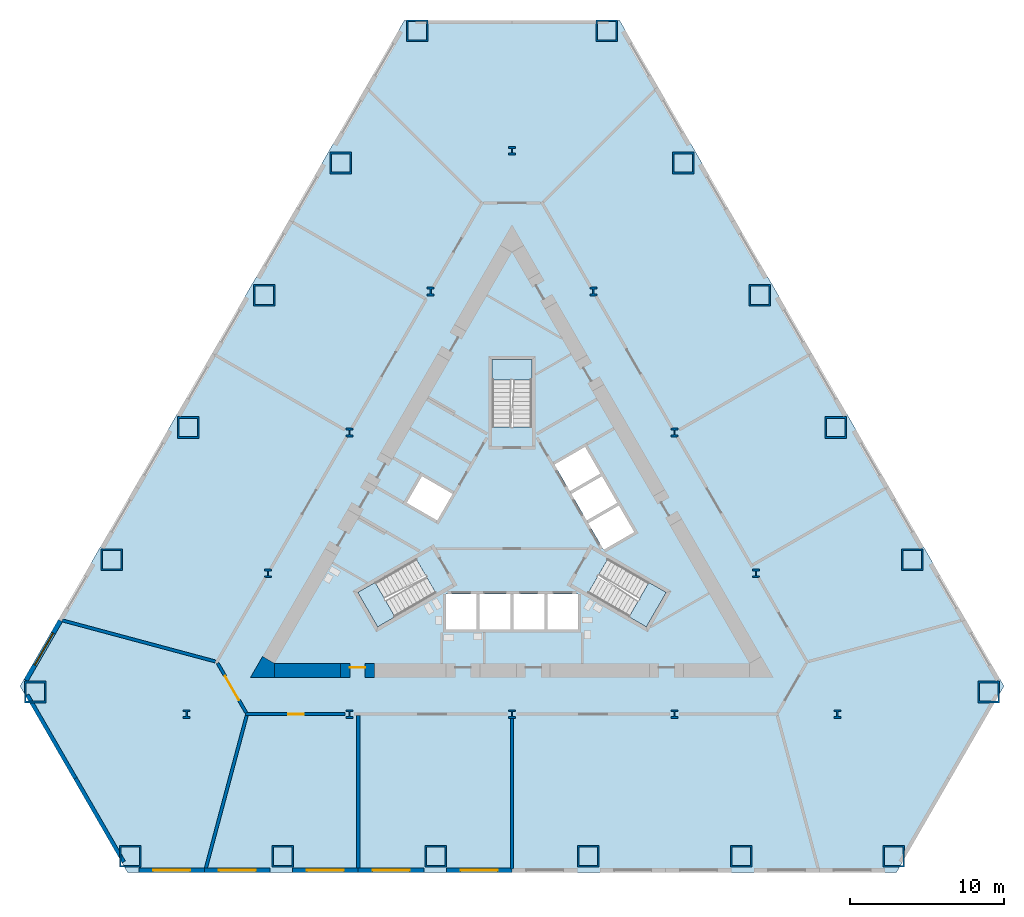
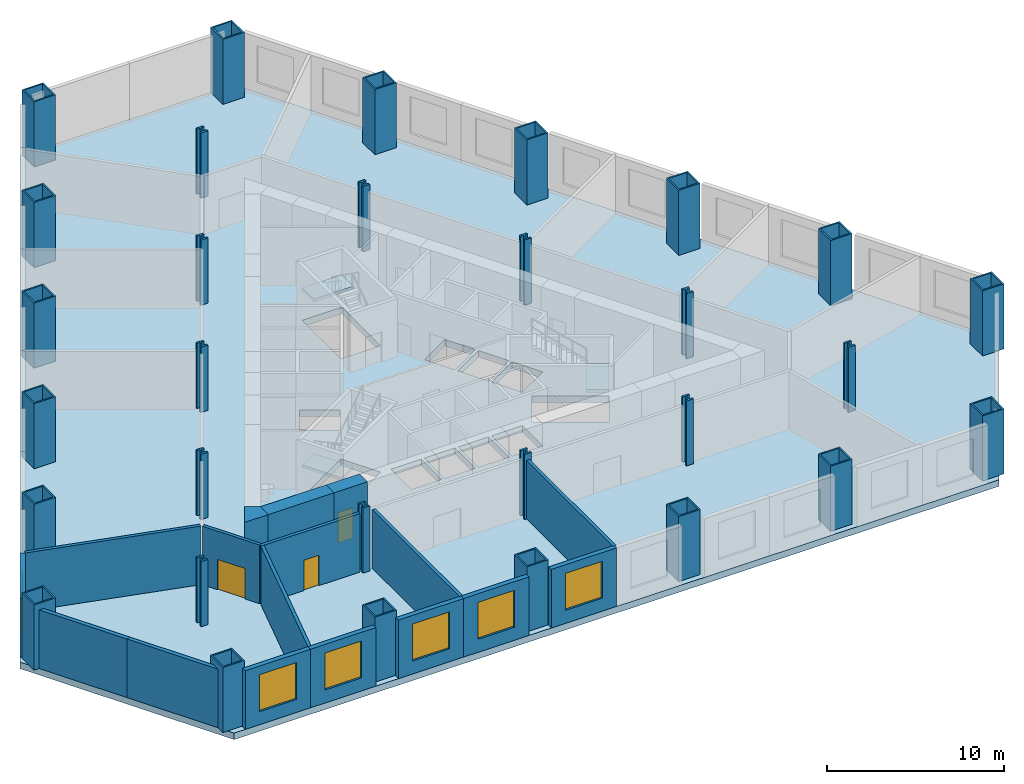
# One storey, part 1 of 8: 30 columns, 17 walls, 6 windows, 4 slabs, 3 doors, 9 openings, 3 elements without a shape of their own.
"""IFC4 building model written with IfcOpenShell, lengths in metres."""

from ifc_helpers import new_model, si_unit, direction, frame, frame_2d, origin, origin_2d, place, context, subcontext, project, spatial, polyline, rectangle, hollow_rectangle, i_section, outline, extrude, material, layer, layer_set, material_profile, profile_set, type_object, element, fill, aggregate, save


model = new_model("IFC4")

# Units and contexts
model_context = context("Model", 3, precision=1e-05, world=origin(), true_north=direction((0.0, 1.0)))
body_context = subcontext(model_context, "Body", "Model", "MODEL_VIEW")
ifc_project = project(units=[si_unit("LENGTHUNIT", "METRE"), si_unit("AREAUNIT", "SQUARE_METRE"), si_unit("VOLUMEUNIT", "CUBIC_METRE"), si_unit("PLANEANGLEUNIT", "RADIAN"), si_unit("MASSUNIT", "GRAM", prefix="KILO")], contexts=[model_context])

# Site, building, storey
site_placement = place(None, origin())
site = spatial("IfcSite", under=ifc_project, at=site_placement, CompositionType="ELEMENT")
building_placement = place(site_placement, origin())
building = spatial("IfcBuilding", under=site, at=building_placement, Name="Cormorant Prow Tower", CompositionType="ELEMENT")
storey_placement = place(building_placement, frame((0.0, 0.0, 21.0)))
storey = spatial("IfcBuildingStorey", under=building, at=storey_placement, Name="L03", CompositionType="ELEMENT", Elevation=21.0)

# Columns
ifc_material_1 = material(Name="Structural steel ASTM A572 Gr 50", Category="steel")
ifc_material_profile_1 = material_profile(ifc_material_1, hollow_rectangle(XDim=1.39990234375, YDim=1.39990234375, WallThickness=0.10009765625, at=origin_2d()), Name="Box 1400x1400x100")
ifc_profile_set_1 = profile_set([ifc_material_profile_1], Name="Structural steel ASTM A572 Gr 50")
column_type_1 = type_object("IfcColumnType", Name="Perimeter box column 1400x1400x100", PredefinedType="COLUMN", material=ifc_profile_set_1)
for number, where, z_axis, x_axis, name in (
    (1, (-24.830322265625, -21.4599609375, 0.0), (0.0, 0.0, 1.0), (1.0, 0.0, 0.0), "Perimeter column at S00 L03"),
    (2, (-14.898193359375, -21.4599609375, 0.0), (0.0, 0.0, 1.0), (1.0, 0.0, 0.0), "Perimeter column at S02 L03"),
    (3, (-4.966064453125, -21.4599609375, 0.0), (0.0, 0.0, 1.0), (1.0, 0.0, 0.0), "Perimeter column at S04 L03"),
    (4, (4.966064453125, -21.4599609375, 0.0), (0.0, 0.0, 1.0), (1.0, 0.0, 0.0), "Perimeter column at S06 L03"),
    (5, (14.898193359375, -21.4599609375, 0.0), (0.0, 0.0, 1.0), (1.0, 0.0, 0.0), "Perimeter column at S08 L03"),
    (6, (24.830322265625, -21.4599609375, 0.0), (0.0, 0.0, 1.0), (1.0, 0.0, 0.0), "Perimeter column at ESE00 L03"),
    (7, (31.0, -10.773681640625, 0.0), (0.0, 0.0, 1.0), (1.0, 0.0, 0.0), "Perimeter column at ENE00 L03"),
    (8, (26.033935546875, -2.17236328125, 0.0), (0.0, 0.0, 1.0), (1.0, 0.0, 0.0), "Perimeter column at ENE02 L03"),
    (9, (21.06787109375, 6.42919921875, 0.0), (0.0, 0.0, 1.0), (1.0, 0.0, 0.0), "Perimeter column at ENE04 L03"),
    (10, (16.101806640625, 15.03076171875, 0.0), (0.0, 0.0, 1.0), (1.0, 0.0, 0.0), "Perimeter column at ENE06 L03"),
    (11, (11.1357421875, 23.632080078125, 0.0), (0.0, 0.0, 1.0), (1.0, 0.0, 0.0), "Perimeter column at ENE08 L03"),
    (12, (6.169677734375, 32.233642578125, 0.0), (0.0, 0.0, 1.0), (1.0, 0.0, 0.0), "Perimeter column at N00 L03"),
    (13, (-6.169677734375, 32.233642578125, 0.0), (0.0, 0.0, 1.0), (1.0, 0.0, 0.0), "Perimeter column at WNW00 L03"),
    (14, (-11.1357421875, 23.632080078125, 0.0), (0.0, 0.0, 1.0), (1.0, 0.0, 0.0), "Perimeter column at WNW02 L03"),
    (15, (-16.101806640625, 15.03076171875, 0.0), (0.0, 0.0, 1.0), (1.0, 0.0, 0.0), "Perimeter column at WNW04 L03"),
    (16, (-21.06787109375, 6.42919921875, 0.0), (0.0, 0.0, 1.0), (1.0, 0.0, 0.0), "Perimeter column at WNW06 L03"),
    (17, (-26.033935546875, -2.17236328125, 0.0), (0.0, 0.0, 1.0), (1.0, 0.0, 0.0), "Perimeter column at WNW08 L03"),
    (18, (-31.0, -10.773681640625, 0.0), (0.0, 0.0, 1.0), (1.0, 0.0, 0.0), "Perimeter column at WSW00 L03"),
):
    element("IfcColumn", number, at=place(storey_placement, frame(where, z_axis=z_axis, x_axis=x_axis)), inside=storey, type_object=column_type_1, Name=name, PredefinedType="COLUMN", context=body_context, shape_type="SweptSolid", body=[
        extrude(hollow_rectangle(XDim=1.39990234375, YDim=1.39990234375, WallThickness=0.10009765625, at=origin_2d()), origin(), (0.0, 0.0, 1.0), 4.5),
    ])
ifc_material_2 = material(Name="Structural steel ASTM A992 Gr 50", Category="steel")
ifc_material_profile_2 = material_profile(ifc_material_2, i_section(OverallWidth=0.454345703125, OverallDepth=0.569580078125, WebThickness=0.077880859375, FlangeThickness=0.124755859375, at=origin_2d()), Name="W14x730")
ifc_profile_set_2 = profile_set([ifc_material_profile_2], Name="Structural steel ASTM A992 Gr 50")
column_type_2 = type_object("IfcColumnType", Name="Ring column W14x730", PredefinedType="COLUMN", material=ifc_profile_set_2)
for number, where, z_axis, x_axis, name in (
    (19, (0.0, 24.429931640625, 0.0), (0.0, 0.0, 1.0), (1.0, 0.0, 0.0), "Ring column 1 L03"),
    (20, (-5.289306640625, 15.268798828125, 0.0), (0.0, 0.0, 1.0), (1.0, 0.0, 0.0), "Ring column 2 L03"),
    (21, (-10.578369140625, 6.107421875, 0.0), (0.0, 0.0, 1.0), (1.0, 0.0, 0.0), "Ring column 3 L03"),
    (22, (-15.86767578125, -3.0537109375, 0.0), (0.0, 0.0, 1.0), (1.0, 0.0, 0.0), "Ring column 4 L03"),
    (23, (-21.156982421875, -12.21484375, 0.0), (0.0, 0.0, 1.0), (1.0, 0.0, 0.0), "Ring column 5 L03"),
    (24, (-10.578369140625, -12.21484375, 0.0), (0.0, 0.0, 1.0), (1.0, 0.0, 0.0), "Ring column 6 L03"),
    (25, (0.0, -12.21484375, 0.0), (0.0, 0.0, 1.0), (1.0, 0.0, 0.0), "Ring column 7 L03"),
    (26, (10.578369140625, -12.21484375, 0.0), (0.0, 0.0, 1.0), (1.0, 0.0, 0.0), "Ring column 8 L03"),
    (27, (21.156982421875, -12.21484375, 0.0), (0.0, 0.0, 1.0), (1.0, 0.0, 0.0), "Ring column 9 L03"),
    (28, (15.86767578125, -3.0537109375, 0.0), (0.0, 0.0, 1.0), (1.0, 0.0, 0.0), "Ring column 10 L03"),
    (29, (10.578369140625, 6.107421875, 0.0), (0.0, 0.0, 1.0), (1.0, 0.0, 0.0), "Ring column 11 L03"),
    (30, (5.289306640625, 15.268798828125, 0.0), (0.0, 0.0, 1.0), (1.0, 0.0, 0.0), "Ring column 12 L03"),
):
    element("IfcColumn", number, at=place(storey_placement, frame(where, z_axis=z_axis, x_axis=x_axis)), inside=storey, type_object=column_type_2, Name=name, PredefinedType="COLUMN", context=body_context, shape_type="SweptSolid", body=[
        extrude(i_section(OverallWidth=0.454345703125, OverallDepth=0.569580078125, WebThickness=0.077880859375, FlangeThickness=0.124755859375, at=origin_2d()), origin(), (0.0, 0.0, 1.0), 4.5),
    ])

# Slab
ifc_material_3 = material(Name="Concrete C40/50", Category="concrete")
ifc_layer_1 = layer(ifc_material_3, 0.449951171875)
ifc_layer_set_1 = layer_set([ifc_layer_1], Name="Concrete C40/50")
slab_type_1 = type_object("IfcSlabType", Name="Post-tensioned flat slab 450", PredefinedType="FLOOR", material=ifc_layer_set_1)
slab_1_placement = place(storey_placement, frame((0.0, 0.0, -0.449951171875)))
element("IfcSlab", 31, at=slab_1_placement, inside=storey, type_object=slab_type_1, Name="Floor slab L03", PredefinedType="FLOOR", context=body_context, shape_type="SweptSolid", body=[
    extrude(outline(polyline([(-9.5, 28.578857421875), (-12.0, 24.248779296875), (-14.5, 19.918701171875), (-17.0, 15.58837890625), (-19.5, 11.25830078125), (-22.0, 6.92822265625), (-24.5, 2.59814453125), (-27.0, -1.73193359375), (-29.5, -6.062255859375), (-32.0, -10.392333984375), (-28.5, -16.45458984375), (-25.0, -22.5166015625), (-20.0, -22.5166015625), (-15.0, -22.5166015625), (-10.0, -22.5166015625), (-5.0, -22.5166015625), (0.0, -22.5166015625), (5.0, -22.5166015625), (10.0, -22.5166015625), (15.0, -22.5166015625), (20.0, -22.5166015625), (25.0, -22.5166015625), (28.5, -16.45458984375), (32.0, -10.392333984375), (29.5, -6.062255859375), (27.0, -1.73193359375), (24.5, 2.59814453125), (22.0, 6.92822265625), (19.5, 11.25830078125), (17.0, 15.58837890625), (14.5, 19.918701171875), (12.0, 24.248779296875), (9.5, 28.578857421875), (7.0, 32.908935546875), (0.0, 32.908935546875), (-7.0, 32.908935546875), (-9.5, 28.578857421875)]), holes=[polyline([(-4.300048828125, -6.699951171875), (-4.300048828125, -4.39990234375), (-2.300048828125, -4.39990234375), (-2.300048828125, -6.699951171875), (-4.300048828125, -6.699951171875)]), polyline([(-2.10009765625, -4.39990234375), (-0.10009765625, -4.39990234375), (-0.10009765625, -6.699951171875), (-2.10009765625, -6.699951171875), (-2.10009765625, -4.39990234375)]), polyline([(2.10009765625, -4.39990234375), (2.10009765625, -6.699951171875), (0.10009765625, -6.699951171875), (0.10009765625, -4.39990234375), (2.10009765625, -4.39990234375)]), polyline([(4.300048828125, -6.699951171875), (2.300048828125, -6.699951171875), (2.300048828125, -4.39990234375), (4.300048828125, -4.39990234375), (4.300048828125, -6.699951171875)]), polyline([(7.952392578125, -0.373779296875), (5.96044921875, -1.52392578125), (4.96044921875, 0.2080078125), (6.952392578125, 1.358154296875), (7.952392578125, -0.373779296875)]), polyline([(4.860595703125, 0.38134765625), (3.860595703125, 2.11328125), (5.852294921875, 3.263427734375), (6.852294921875, 1.53125), (4.860595703125, 0.38134765625)]), polyline([(2.760498046875, 4.018798828125), (4.75244140625, 5.168701171875), (5.75244140625, 3.4365234375), (3.760498046875, 2.28662109375), (2.760498046875, 4.018798828125)]), polyline([(-6.852294921875, 1.53125), (-5.852294921875, 3.263427734375), (-3.860595703125, 2.11328125), (-4.860595703125, 0.38134765625), (-6.852294921875, 1.53125)]), polyline([(-4.947509765625, -4.3505859375), (-8.738037109375, -6.5390625), (-10.031982421875, -4.2978515625), (-6.241455078125, -2.109375), (-4.947509765625, -4.3505859375)]), polyline([(10.031982421875, -4.2978515625), (8.738037109375, -6.5390625), (4.947509765625, -4.3505859375), (6.241455078125, -2.109375), (10.031982421875, -4.2978515625)]), polyline([(1.2939453125, 10.8369140625), (1.2939453125, 6.459716796875), (-1.2939453125, 6.459716796875), (-1.2939453125, 10.8369140625), (1.2939453125, 10.8369140625)])]), origin(), (0.0, 0.0, 1.0), 0.449951171875),
])

# Stair, slab
ifc_material_4 = material(Name="Exit stair 24 risers")
stair_type = type_object("IfcStairType", Name="Exit stair 24 risers", PredefinedType="HALF_TURN_STAIR", material=ifc_material_4)
stair_1_placement = place(storey_placement, origin())
stair_1 = element("IfcStair", 32, at=stair_1_placement, inside=storey, type_object=stair_type, Name="L03 Exit stair ST1", PredefinedType="HALF_TURN_STAIR")
ifc_material_5 = material(Name="Concrete 5000 psi", Category="concrete")
ifc_layer_2 = layer(ifc_material_5, 0.199951171875)
ifc_layer_set_2 = layer_set([ifc_layer_2], Name="Concrete 5000 psi")
slab_type_2 = type_object("IfcSlabType", Name="Stair landing 200", PredefinedType="LANDING", material=ifc_layer_set_2)
slab_2_placement = place(storey_placement, frame((0.0, 0.0, 2.050048828125)))
slab_2 = element("IfcSlab", 33, at=slab_2_placement, type_object=slab_type_2, Name="ST1 landing 1", PredefinedType="LANDING", context=body_context, shape_type="SweptSolid", body=[
    extrude(outline(polyline([(-8.90185546875, -3.645263671875), (-10.031982421875, -4.2978515625), (-8.738037109375, -6.5390625), (-7.60791015625, -5.886474609375), (-8.90185546875, -3.645263671875)])), origin(), (0.0, 0.0, 1.0), 0.199951171875),
])
aggregate(stair_1, [slab_2])

stair_2_placement = place(storey_placement, origin())
stair_2 = element("IfcStair", 34, at=stair_2_placement, inside=storey, type_object=stair_type, Name="L03 Exit stair ST2", PredefinedType="HALF_TURN_STAIR")
slab_3_placement = place(storey_placement, frame((0.0, 0.0, 2.050048828125)))
slab_3 = element("IfcSlab", 35, at=slab_3_placement, type_object=slab_type_2, Name="ST2 landing 1", PredefinedType="LANDING", context=body_context, shape_type="SweptSolid", body=[
    extrude(outline(polyline([(7.60791015625, -5.886474609375), (8.738037109375, -6.5390625), (10.031982421875, -4.2978515625), (8.90185546875, -3.645263671875), (7.60791015625, -5.886474609375)])), origin(), (0.0, 0.0, 1.0), 0.199951171875),
])
aggregate(stair_2, [slab_3])

stair_3_placement = place(storey_placement, origin())
stair_3 = element("IfcStair", 36, at=stair_3_placement, inside=storey, type_object=stair_type, Name="L03 Exit stair ST3", PredefinedType="HALF_TURN_STAIR")
slab_4_placement = place(storey_placement, frame((0.0, 0.0, 2.050048828125)))
slab_4 = element("IfcSlab", 37, at=slab_4_placement, type_object=slab_type_2, Name="ST3 landing 1", PredefinedType="LANDING", context=body_context, shape_type="SweptSolid", body=[
    extrude(outline(polyline([(1.2939453125, 9.53173828125), (1.2939453125, 10.8369140625), (-1.2939453125, 10.8369140625), (-1.2939453125, 9.53173828125), (1.2939453125, 9.53173828125)])), origin(), (0.0, 0.0, 1.0), 0.199951171875),
])
aggregate(stair_3, [slab_4])

# Walls
ifc_material_6 = material(Name="Concrete 8000 psi", Category="concrete")
ifc_layer_3 = layer(ifc_material_6, 0.89990234375)
ifc_layer_set_3 = layer_set([ifc_layer_3], Name="Concrete 8000 psi")
wall_type_1 = type_object("IfcWallType", Name="Core shear wall 900", PredefinedType="SHEAR", material=ifc_layer_set_3)
wall_1_placement = place(storey_placement, frame((-15.441162109375, -9.364990234375, 0.0), z_axis=(0.0, 0.0, 1.0), x_axis=(1.0, 0.0, 0.0)))
element("IfcWall", 38, at=wall_1_placement, inside=storey, type_object=wall_type_1, Name="Core wall", PredefinedType="SHEAR", context=body_context, shape_type="SweptSolid", body=[
    extrude(rectangle(XDim=4.295654296875, YDim=0.89990234375, at=frame_2d((2.14794921875, 0.0))), origin(), (0.0, 0.0, 1.0), 4.050048828125),
])
wall_2_placement = place(storey_placement, origin())
element("IfcWall", 39, at=wall_2_placement, inside=storey, type_object=wall_type_1, Name="Core wall corner", PredefinedType="SHEAR", context=body_context, shape_type="SweptSolid", body=[
    extrude(outline(polyline([(-16.220703125, -8.465087890625), (-15.441162109375, -8.9150390625), (-15.441162109375, -9.81494140625), (-17.0, -9.81494140625), (-16.220703125, -8.465087890625)])), origin(), (0.0, 0.0, 1.0), 4.050048828125),
])

# Wall, opening, door
wall_3_placement = place(storey_placement, frame((-11.1455078125, -9.364990234375, 0.0), z_axis=(0.0, 0.0, 1.0), x_axis=(1.0, 0.0, 0.0)))
wall_3 = element("IfcWall", 40, at=wall_3_placement, inside=storey, type_object=wall_type_1, Name="Core wall door panel", PredefinedType="SHEAR", context=body_context, shape_type="SweptSolid", body=[
    extrude(rectangle(XDim=2.199951171875, YDim=0.89990234375, at=frame_2d((1.10009765625, 0.0))), origin(), (0.0, 0.0, 1.0), 4.050048828125),
])
opening_1_placement = place(wall_3_placement, frame((0.60009765625, 0.0, 0.0)))
opening_1 = element("IfcOpeningElement", 41, at=opening_1_placement, cuts=wall_3, Name="Opening L03-C18", PredefinedType="OPENING", context=body_context, shape_type="SweptSolid", body=[
    extrude(rectangle(XDim=1.0, YDim=2.10009765625, at=frame_2d((0.5, 1.050048828125))), frame((0.0, 0.4599609375, 0.0), z_axis=(0.0, -1.0, 0.0), x_axis=(1.0, 0.0, 0.0)), (0.0, 0.0, 1.0), 0.919921875),
])
ifc_material_7 = material(Name="Painted steel", Category="steel")
door_type_1 = type_object("IfcDoorType", Name="Service door 1000x2100", OperationType="NOTDEFINED", PredefinedType="DOOR", material=ifc_material_7)
door_1_placement = place(opening_1_placement, origin())
door_1 = element("IfcDoor", 42, at=door_1_placement, inside=storey, type_object=door_type_1, Name="Core door, Toilets (women) L03", OperationType="SINGLE_SWING_LEFT", OverallHeight=2.10009765625, OverallWidth=1.0, PredefinedType="DOOR", context=body_context, shape_type="SweptSolid", body=[
    extrude(rectangle(XDim=1.0, YDim=2.10009765625, at=frame_2d((0.5, 1.050048828125))), frame((0.0, 0.205078125, 0.0), z_axis=(0.0, -1.0, 0.0), x_axis=(1.0, 0.0, 0.0)), (0.0, 0.0, 1.0), 0.050048828125),
])
fill(opening_1, door_1)

ifc_material_8 = material(Name="Gypsum board corridor wall")
ifc_layer_4 = layer(ifc_material_8, 0.199951171875)
ifc_layer_set_4 = layer_set([ifc_layer_4], Name="Gypsum board corridor wall")
wall_type_2 = type_object("IfcWallType", Name="Corridor wall 200", PredefinedType="PARTITIONING", material=ifc_layer_set_4)
wall_4_placement = place(storey_placement, frame((-17.330810546875, -12.215087890625, 0.0), z_axis=(0.0, 0.0, 1.0), x_axis=(1.0, 0.0, 0.0)))
wall_4 = element("IfcWall", 43, at=wall_4_placement, inside=storey, type_object=wall_type_2, Name="Corridor wall", PredefinedType="PARTITIONING", context=body_context, shape_type="SweptSolid", body=[
    extrude(rectangle(XDim=6.45751953125, YDim=0.199951171875, at=frame_2d((3.228759765625, 0.0))), origin(), (0.0, 0.0, 1.0), 4.050048828125),
])
opening_2_placement = place(wall_4_placement, frame((2.779541015625, 0.0, 0.0)))
opening_2 = element("IfcOpeningElement", 44, at=opening_2_placement, cuts=wall_4, Name="Opening L03-F04", PredefinedType="OPENING", context=body_context, shape_type="SweptSolid", body=[
    extrude(rectangle(XDim=1.0, YDim=2.10009765625, at=frame_2d((0.5, 1.050048828125))), frame((0.0, 0.10986328125, 0.0), z_axis=(0.0, -1.0, 0.0), x_axis=(1.0, 0.0, 0.0)), (0.0, 0.0, 1.0), 0.219970703125),
])
ifc_material_9 = material(Name="Timber door leaf", Category="wood")
door_type_2 = type_object("IfcDoorType", Name="Flat or room entrance door 1000x2100", OperationType="NOTDEFINED", PredefinedType="DOOR", material=ifc_material_9)
door_2_placement = place(opening_2_placement, origin())
door_2 = element("IfcDoor", 45, at=door_2_placement, inside=storey, type_object=door_type_2, Name="Weights room door", OperationType="SINGLE_SWING_RIGHT", OverallHeight=2.10009765625, OverallWidth=1.0, PredefinedType="DOOR", context=body_context, shape_type="SweptSolid", body=[
    extrude(rectangle(XDim=1.0, YDim=2.10009765625, at=frame_2d((0.5, 1.050048828125))), frame((0.0, 0.02490234375, 0.0), z_axis=(0.0, -1.0, 0.0), x_axis=(1.0, 0.0, 0.0)), (0.0, 0.0, 1.0), 0.050048828125),
])
fill(opening_2, door_2)

wall_5_placement = place(storey_placement, frame((-19.143798828125, -8.901611328125, 0.0), z_axis=(0.0, 0.0, 1.0), x_axis=(0.499958791762, -0.866049194065, 0.0)))
wall_5 = element("IfcWall", 46, at=wall_5_placement, inside=storey, type_object=wall_type_2, Name="Corridor wall", PredefinedType="PARTITIONING", context=body_context, shape_type="SweptSolid", body=[
    extrude(rectangle(XDim=3.725830078125, YDim=0.199951171875, at=frame_2d((1.86279296875, 0.0))), origin(), (0.0, 0.0, 1.0), 4.050048828125),
])
opening_3_placement = place(wall_5_placement, frame((0.962890625, 0.0, 0.0)))
opening_3 = element("IfcOpeningElement", 47, at=opening_3_placement, cuts=wall_5, Name="Opening L03-F05", PredefinedType="OPENING", context=body_context, shape_type="SweptSolid", body=[
    extrude(rectangle(XDim=1.800048828125, YDim=2.10009765625, at=frame_2d((0.89990234375, 1.050048828125))), frame((0.0, 0.10986328125, 0.0), z_axis=(0.0, -1.0, 0.0), x_axis=(1.0, 0.0, 0.0)), (0.0, 0.0, 1.0), 0.219970703125),
])
ifc_material_10 = material(Name="Timber door leaf", Category="wood")
door_type_3 = type_object("IfcDoorType", Name="Double door 1800x2100", OperationType="DOUBLE_DOOR_SINGLE_SWING", PredefinedType="DOOR", material=ifc_material_10)
door_3_placement = place(opening_3_placement, origin())
door_3 = element("IfcDoor", 48, at=door_3_placement, inside=storey, type_object=door_type_3, Name="Fitness studio door", OperationType="DOUBLE_DOOR_SINGLE_SWING", OverallHeight=2.10009765625, OverallWidth=1.800048828125, PredefinedType="DOOR", context=body_context, shape_type="SweptSolid", body=[
    extrude(rectangle(XDim=1.800048828125, YDim=2.10009765625, at=frame_2d((0.89990234375, 1.050048828125))), frame((0.0, 0.02490234375, 0.0), z_axis=(0.0, -1.0, 0.0), x_axis=(1.0, 0.0, 0.0)), (0.0, 0.0, 1.0), 0.050048828125),
])
fill(opening_3, door_3)

# Walls
ifc_material_11 = material(Name="Gypsum board demising wall")
ifc_layer_5 = layer(ifc_material_11, 0.199951171875)
ifc_layer_set_5 = layer_set([ifc_layer_5], Name="Gypsum board demising wall")
wall_type_3 = type_object("IfcWallType", Name="Demising wall 200", PredefinedType="PARTITIONING", material=ifc_layer_set_5)
for number, where, z_axis, x_axis, name in (
    (49, (-29.251953125, -6.115478515625, 0.0), (0.0, 0.0, 1.0), (0.965818413341, -0.259219583464, 0.0), "Demising wall"),
    (50, (-19.921875, -22.275146484375, 0.0), (0.0, 0.0, 1.0), (0.258415425443, 0.966033885479, 0.0), "Demising wall"),
):
    element("IfcWall", number, at=place(storey_placement, frame(where, z_axis=z_axis, x_axis=x_axis)), inside=storey, type_object=wall_type_3, Name=name, PredefinedType="PARTITIONING", context=body_context, shape_type="SweptSolid", body=[
        extrude(rectangle(XDim=10.31396484375, YDim=0.199951171875, at=frame_2d((5.156982421875, 0.0))), origin(), (0.0, 0.0, 1.0), 4.050048828125),
    ])
wall_6_placement = place(storey_placement, frame((-10.0, -22.296630859375, 0.0), z_axis=(0.0, 0.0, 1.0), x_axis=(0.0, 1.0, 0.0)))
element("IfcWall", 51, at=wall_6_placement, inside=storey, type_object=wall_type_3, Name="Demising wall", PredefinedType="PARTITIONING", context=body_context, shape_type="SweptSolid", body=[
    extrude(rectangle(XDim=9.981689453125, YDim=0.199951171875, at=frame_2d((4.99072265625, 0.0))), origin(), (0.0, 0.0, 1.0), 4.050048828125),
])
wall_7_placement = place(storey_placement, frame((0.0, -22.296630859375, 0.0), z_axis=(0.0, 0.0, 1.0), x_axis=(0.0, 1.0, 0.0)))
element("IfcWall", 52, at=wall_7_placement, inside=storey, type_object=wall_type_3, Name="Demising wall", PredefinedType="PARTITIONING", context=body_context, shape_type="SweptSolid", body=[
    extrude(rectangle(XDim=9.786865234375, YDim=0.199951171875, at=frame_2d((4.8935546875, 0.0))), origin(), (0.0, 0.0, 1.0), 4.050048828125),
])
ifc_material_12 = material(Name="Terracotta", Category="masonry")
ifc_layer_6 = layer(ifc_material_12, 0.25)
ifc_layer_set_6 = layer_set([ifc_layer_6], Name="Terracotta")
wall_type_4 = type_object("IfcWallType", Name="Terracotta bay wall 250", PredefinedType="SOLIDWALL", material=ifc_layer_set_6)
wall_8_placement = place(storey_placement, frame((-31.52685546875, -10.9619140625, 0.0), z_axis=(0.0, 0.0, 1.0), x_axis=(0.499987597971, -0.866032563981, 0.0)))
element("IfcWall", 53, at=wall_8_placement, inside=storey, type_object=wall_type_4, Name="Terracotta bay wall WSW00", PredefinedType="SOLIDWALL", context=body_context, shape_type="SweptSolid", body=[
    extrude(rectangle(XDim=6.270263671875, YDim=0.25, at=frame_2d((3.13525390625, 0.0))), origin(), (0.0, 0.0, 1.0), 4.050048828125),
])
wall_9_placement = place(storey_placement, frame((-28.391845703125, -16.39208984375, 0.0), z_axis=(0.0, 0.0, 1.0), x_axis=(0.5000044583, -0.866022829768, 0.0)))
element("IfcWall", 54, at=wall_9_placement, inside=storey, type_object=wall_type_4, Name="Terracotta bay wall WSW01", PredefinedType="SOLIDWALL", context=body_context, shape_type="SweptSolid", body=[
    extrude(rectangle(XDim=6.27001953125, YDim=0.25, at=frame_2d((3.135009765625, 0.0))), origin(), (0.0, 0.0, 1.0), 4.050048828125),
])

# Wall, opening, window
ifc_material_13 = material(Name="Terracotta", Category="masonry")
ifc_layer_7 = layer(ifc_material_13, 0.300048828125)
ifc_layer_set_7 = layer_set([ifc_layer_7], Name="Terracotta")
wall_type_5 = type_object("IfcWallType", Name="Terracotta podium cladding wall 300", PredefinedType="SOLIDWALL", material=ifc_layer_set_7)
wall_10_placement = place(storey_placement, frame((-24.27001953125, -22.36669921875, 0.0), z_axis=(0.0, 0.0, 1.0), x_axis=(1.0, 0.0, 0.0)))
wall_10 = element("IfcWall", 55, at=wall_10_placement, inside=storey, type_object=wall_type_5, Name="Terracotta podium wall S00", PredefinedType="SOLIDWALL", context=body_context, shape_type="SweptSolid", body=[
    extrude(rectangle(XDim=4.27001953125, YDim=0.300048828125, at=frame_2d((2.135009765625, 0.0))), origin(), (0.0, 0.0, 1.0), 4.050048828125),
])
opening_4_placement = place(wall_10_placement, frame((0.93505859375, 0.0, 0.89990234375)))
opening_4 = element("IfcOpeningElement", 56, at=opening_4_placement, cuts=wall_10, Name="Opening WN22", PredefinedType="OPENING", context=body_context, shape_type="SweptSolid", body=[
    extrude(rectangle(XDim=2.39990234375, YDim=2.550048828125, at=frame_2d((1.199951171875, 1.27490234375))), frame((0.0, 0.159912109375, 0.0), z_axis=(0.0, -1.0, 0.0), x_axis=(1.0, 0.0, 0.0)), (0.0, 0.0, 1.0), 0.320068359375),
])
ifc_material_14 = material(Name="Aluminium 6063-T6", Category="aluminium")
window_type = type_object("IfcWindowType", Name="Podium window 2400x2550", PartitioningType="SINGLE_PANEL", PredefinedType="WINDOW", material=ifc_material_14)
window_1_placement = place(opening_4_placement, origin())
window_1 = element("IfcWindow", 57, at=window_1_placement, inside=storey, type_object=window_type, Name="Podium window S00", OverallHeight=2.550048828125, OverallWidth=2.39990234375, PartitioningType="SINGLE_PANEL", PredefinedType="WINDOW", context=body_context, shape_type="SweptSolid", body=[
    extrude(rectangle(XDim=2.39990234375, YDim=2.550048828125, at=frame_2d((1.199951171875, 1.27490234375))), frame((0.0, 0.030029296875, 0.0), z_axis=(0.0, -1.0, 0.0), x_axis=(1.0, 0.0, 0.0)), (0.0, 0.0, 1.0), 0.06005859375),
])
fill(opening_4, window_1)

wall_11_placement = place(storey_placement, frame((-20.0, -22.36669921875, 0.0), z_axis=(0.0, 0.0, 1.0), x_axis=(1.0, 0.0, 0.0)))
wall_11 = element("IfcWall", 58, at=wall_11_placement, inside=storey, type_object=wall_type_5, Name="Terracotta podium wall S01", PredefinedType="SOLIDWALL", context=body_context, shape_type="SweptSolid", body=[
    extrude(rectangle(XDim=4.27001953125, YDim=0.300048828125, at=frame_2d((2.135009765625, 0.0))), origin(), (0.0, 0.0, 1.0), 4.050048828125),
])
opening_5_placement = place(wall_11_placement, frame((0.93505859375, 0.0, 0.89990234375)))
opening_5 = element("IfcOpeningElement", 59, at=opening_5_placement, cuts=wall_11, Name="Opening WN22", PredefinedType="OPENING", context=body_context, shape_type="SweptSolid", body=[
    extrude(rectangle(XDim=2.39990234375, YDim=2.550048828125, at=frame_2d((1.199951171875, 1.27490234375))), frame((0.0, 0.159912109375, 0.0), z_axis=(0.0, -1.0, 0.0), x_axis=(1.0, 0.0, 0.0)), (0.0, 0.0, 1.0), 0.320068359375),
])
window_2_placement = place(opening_5_placement, origin())
window_2 = element("IfcWindow", 60, at=window_2_placement, inside=storey, type_object=window_type, Name="Podium window S01", OverallHeight=2.550048828125, OverallWidth=2.39990234375, PartitioningType="SINGLE_PANEL", PredefinedType="WINDOW", context=body_context, shape_type="SweptSolid", body=[
    extrude(rectangle(XDim=2.39990234375, YDim=2.550048828125, at=frame_2d((1.199951171875, 1.27490234375))), frame((0.0, 0.030029296875, 0.0), z_axis=(0.0, -1.0, 0.0), x_axis=(1.0, 0.0, 0.0)), (0.0, 0.0, 1.0), 0.06005859375),
])
fill(opening_5, window_2)

wall_12_placement = place(storey_placement, frame((-14.27001953125, -22.36669921875, 0.0), z_axis=(0.0, 0.0, 1.0), x_axis=(1.0, 0.0, 0.0)))
wall_12 = element("IfcWall", 61, at=wall_12_placement, inside=storey, type_object=wall_type_5, Name="Terracotta podium wall S02", PredefinedType="SOLIDWALL", context=body_context, shape_type="SweptSolid", body=[
    extrude(rectangle(XDim=4.27001953125, YDim=0.300048828125, at=frame_2d((2.135009765625, 0.0))), origin(), (0.0, 0.0, 1.0), 4.050048828125),
])
opening_6_placement = place(wall_12_placement, frame((0.93505859375, 0.0, 0.89990234375)))
opening_6 = element("IfcOpeningElement", 62, at=opening_6_placement, cuts=wall_12, Name="Opening WN22", PredefinedType="OPENING", context=body_context, shape_type="SweptSolid", body=[
    extrude(rectangle(XDim=2.39990234375, YDim=2.550048828125, at=frame_2d((1.199951171875, 1.27490234375))), frame((0.0, 0.159912109375, 0.0), z_axis=(0.0, -1.0, 0.0), x_axis=(1.0, 0.0, 0.0)), (0.0, 0.0, 1.0), 0.320068359375),
])
window_3_placement = place(opening_6_placement, origin())
window_3 = element("IfcWindow", 63, at=window_3_placement, inside=storey, type_object=window_type, Name="Podium window S02", OverallHeight=2.550048828125, OverallWidth=2.39990234375, PartitioningType="SINGLE_PANEL", PredefinedType="WINDOW", context=body_context, shape_type="SweptSolid", body=[
    extrude(rectangle(XDim=2.39990234375, YDim=2.550048828125, at=frame_2d((1.199951171875, 1.27490234375))), frame((0.0, 0.030029296875, 0.0), z_axis=(0.0, -1.0, 0.0), x_axis=(1.0, 0.0, 0.0)), (0.0, 0.0, 1.0), 0.06005859375),
])
fill(opening_6, window_3)

wall_13_placement = place(storey_placement, frame((-10.0, -22.36669921875, 0.0), z_axis=(0.0, 0.0, 1.0), x_axis=(1.0, 0.0, 0.0)))
wall_13 = element("IfcWall", 64, at=wall_13_placement, inside=storey, type_object=wall_type_5, Name="Terracotta podium wall S03", PredefinedType="SOLIDWALL", context=body_context, shape_type="SweptSolid", body=[
    extrude(rectangle(XDim=4.27001953125, YDim=0.300048828125, at=frame_2d((2.135009765625, 0.0))), origin(), (0.0, 0.0, 1.0), 4.050048828125),
])
opening_7_placement = place(wall_13_placement, frame((0.93505859375, 0.0, 0.89990234375)))
opening_7 = element("IfcOpeningElement", 65, at=opening_7_placement, cuts=wall_13, Name="Opening WN22", PredefinedType="OPENING", context=body_context, shape_type="SweptSolid", body=[
    extrude(rectangle(XDim=2.39990234375, YDim=2.550048828125, at=frame_2d((1.199951171875, 1.27490234375))), frame((0.0, 0.159912109375, 0.0), z_axis=(0.0, -1.0, 0.0), x_axis=(1.0, 0.0, 0.0)), (0.0, 0.0, 1.0), 0.320068359375),
])
window_4_placement = place(opening_7_placement, origin())
window_4 = element("IfcWindow", 66, at=window_4_placement, inside=storey, type_object=window_type, Name="Podium window S03", OverallHeight=2.550048828125, OverallWidth=2.39990234375, PartitioningType="SINGLE_PANEL", PredefinedType="WINDOW", context=body_context, shape_type="SweptSolid", body=[
    extrude(rectangle(XDim=2.39990234375, YDim=2.550048828125, at=frame_2d((1.199951171875, 1.27490234375))), frame((0.0, 0.030029296875, 0.0), z_axis=(0.0, -1.0, 0.0), x_axis=(1.0, 0.0, 0.0)), (0.0, 0.0, 1.0), 0.06005859375),
])
fill(opening_7, window_4)

wall_14_placement = place(storey_placement, frame((-4.27001953125, -22.36669921875, 0.0), z_axis=(0.0, 0.0, 1.0), x_axis=(1.0, 0.0, 0.0)))
wall_14 = element("IfcWall", 67, at=wall_14_placement, inside=storey, type_object=wall_type_5, Name="Terracotta podium wall S04", PredefinedType="SOLIDWALL", context=body_context, shape_type="SweptSolid", body=[
    extrude(rectangle(XDim=4.27001953125, YDim=0.300048828125, at=frame_2d((2.135009765625, 0.0))), origin(), (0.0, 0.0, 1.0), 4.050048828125),
])
opening_8_placement = place(wall_14_placement, frame((0.93505859375, 0.0, 0.89990234375)))
opening_8 = element("IfcOpeningElement", 68, at=opening_8_placement, cuts=wall_14, Name="Opening WN22", PredefinedType="OPENING", context=body_context, shape_type="SweptSolid", body=[
    extrude(rectangle(XDim=2.39990234375, YDim=2.550048828125, at=frame_2d((1.199951171875, 1.27490234375))), frame((0.0, 0.159912109375, 0.0), z_axis=(0.0, -1.0, 0.0), x_axis=(1.0, 0.0, 0.0)), (0.0, 0.0, 1.0), 0.320068359375),
])
window_5_placement = place(opening_8_placement, origin())
window_5 = element("IfcWindow", 69, at=window_5_placement, inside=storey, type_object=window_type, Name="Podium window S04", OverallHeight=2.550048828125, OverallWidth=2.39990234375, PartitioningType="SINGLE_PANEL", PredefinedType="WINDOW", context=body_context, shape_type="SweptSolid", body=[
    extrude(rectangle(XDim=2.39990234375, YDim=2.550048828125, at=frame_2d((1.199951171875, 1.27490234375))), frame((0.0, 0.030029296875, 0.0), z_axis=(0.0, -1.0, 0.0), x_axis=(1.0, 0.0, 0.0)), (0.0, 0.0, 1.0), 0.06005859375),
])
fill(opening_8, window_5)

wall_15_placement = place(storey_placement, frame((-29.3701171875, -6.13720703125, 0.0), z_axis=(0.0, 0.0, 1.0), x_axis=(-0.49999314502, -0.866029361473, 0.0)))
wall_15 = element("IfcWall", 70, at=wall_15_placement, inside=storey, type_object=wall_type_5, Name="Terracotta podium wall WNW09", PredefinedType="SOLIDWALL", context=body_context, shape_type="SweptSolid", body=[
    extrude(rectangle(XDim=4.47607421875, YDim=0.300048828125, at=frame_2d((2.238037109375, 0.0))), origin(), (0.0, 0.0, 1.0), 4.050048828125),
])
opening_9_placement = place(wall_15_placement, frame((0.93505859375, 0.0, 0.89990234375)))
opening_9 = element("IfcOpeningElement", 71, at=opening_9_placement, cuts=wall_15, Name="Opening WN22", PredefinedType="OPENING", context=body_context, shape_type="SweptSolid", body=[
    extrude(rectangle(XDim=2.39990234375, YDim=2.550048828125, at=frame_2d((1.199951171875, 1.27490234375))), frame((0.0, 0.159912109375, 0.0), z_axis=(0.0, -1.0, 0.0), x_axis=(1.0, 0.0, 0.0)), (0.0, 0.0, 1.0), 0.320068359375),
])
window_6_placement = place(opening_9_placement, origin())
window_6 = element("IfcWindow", 72, at=window_6_placement, inside=storey, type_object=window_type, Name="Podium window WNW09", OverallHeight=2.550048828125, OverallWidth=2.39990234375, PartitioningType="SINGLE_PANEL", PredefinedType="WINDOW", context=body_context, shape_type="SweptSolid", body=[
    extrude(rectangle(XDim=2.39990234375, YDim=2.550048828125, at=frame_2d((1.199951171875, 1.27490234375))), frame((0.0, 0.030029296875, 0.0), z_axis=(0.0, -1.0, 0.0), x_axis=(1.0, 0.0, 0.0)), (0.0, 0.0, 1.0), 0.06005859375),
])
fill(opening_9, window_6)

save(model, "model.ifc")
